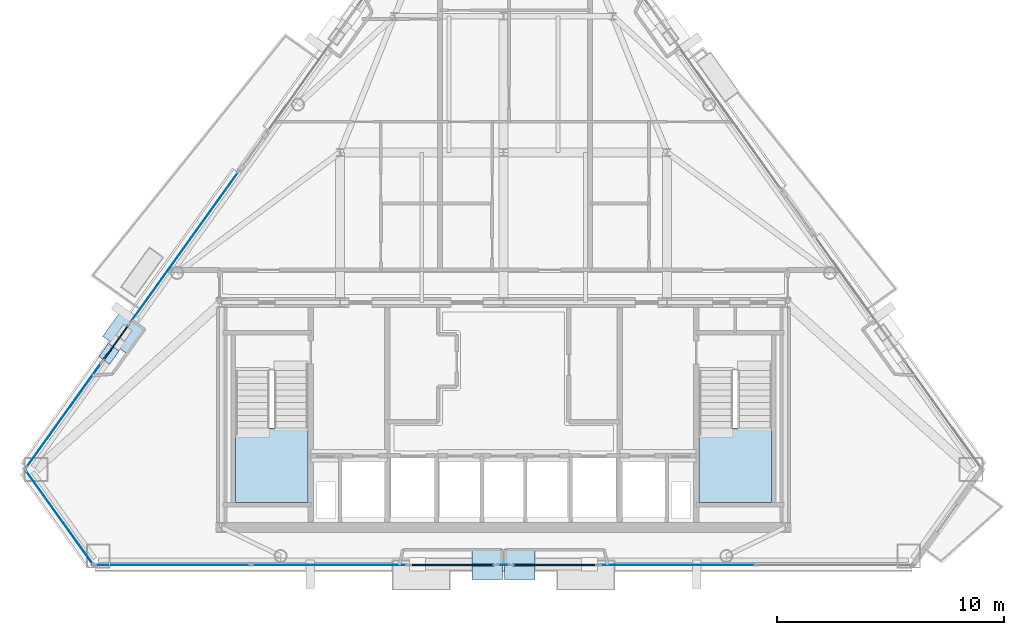
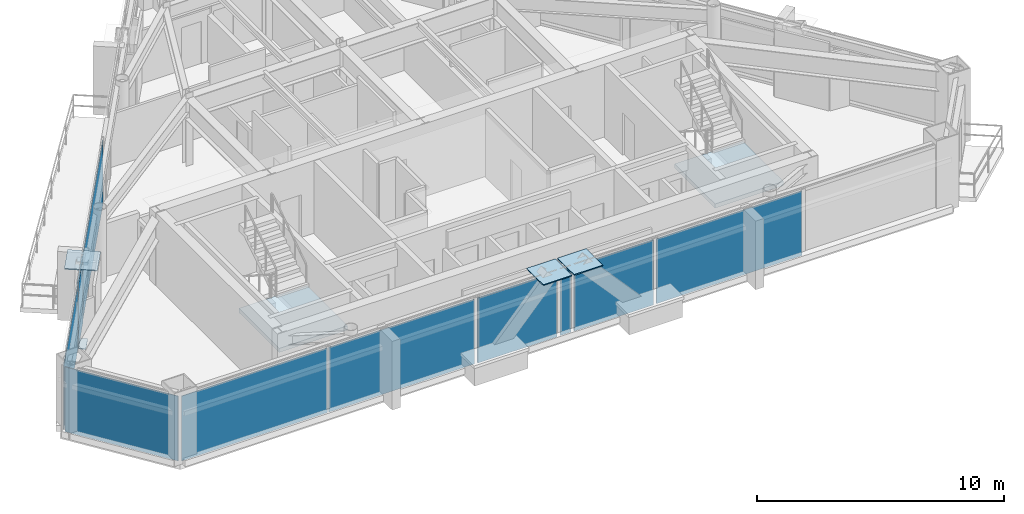
# One storey, part 6 of 12: 14 plates, 2 slabs, 11 elements without a shape of their own.
"""IFC4 building model written with IfcOpenShell, lengths in metres."""

from ifc_helpers import new_model, si_unit, direction, frame, origin, origin_2d, place, context, subcontext, project, spatial, polyline, rectangle, outline, extrude, source, transform, mapped, material, layer, layer_set, type_object, type_shapes, element, aggregate, save


model = new_model("IFC4")

# Units and contexts
model_context = context("Model", 3, precision=1e-05, world=origin(), true_north=direction((0.0, 1.0)))
body_context = subcontext(model_context, "Body", "Model", "MODEL_VIEW")
ifc_project = project(units=[si_unit("LENGTHUNIT", "METRE"), si_unit("AREAUNIT", "SQUARE_METRE"), si_unit("VOLUMEUNIT", "CUBIC_METRE"), si_unit("PLANEANGLEUNIT", "RADIAN"), si_unit("MASSUNIT", "GRAM", prefix="KILO")], contexts=[model_context])

# Site, building, storey
site_placement = place(None, origin())
site = spatial("IfcSite", under=ifc_project, at=site_placement, CompositionType="ELEMENT")
building_placement = place(site_placement, origin())
building = spatial("IfcBuilding", under=site, at=building_placement, Name="Talgorran Terracotta Tower", CompositionType="ELEMENT")
storey_placement = place(building_placement, frame((0.0, 0.0, 221.699951171875)))
storey = spatial("IfcBuildingStorey", under=building, at=storey_placement, Name="L58", CompositionType="ELEMENT", Elevation=221.699951171875)

# Plates
ifc_material_1 = material(Name="Steel Grade 350 (350L0)", Category="steel")
ifc_layer_1 = layer(ifc_material_1, 0.031982421875, Name="PL_CAP_MN07")
ifc_layer_set_1 = layer_set([ifc_layer_1], Name="Steel Grade 350 (350L0)")
plate_type_1 = type_object("IfcPlateType", Name="PL_CAP_MN07", PredefinedType="USERDEFINED", material=ifc_layer_set_1)
plate_1_placement = place(storey_placement, frame((-17.359619140625, -6.453857421875, -0.005859375), z_axis=(0.0, 0.0, 1.0), x_axis=(0.583115925445, 0.812388957023, 0.0)))
element("IfcPlate", 1, at=plate_1_placement, inside=storey, type_object=plate_type_1, Name="L58 Diagonal Frame End Cap NWL Bot", ObjectType="CAP PLATE", PredefinedType="USERDEFINED", context=body_context, shape_type="SweptSolid", body=[
    extrude(rectangle(XDim=0.719970703125, YDim=0.580078125, at=origin_2d()), origin(), (0.0, 0.0, 1.0), 0.031982421875),
])
ifc_layer_2 = layer(ifc_material_1, 0.050048828125, Name="PL_NODE_MN03")
ifc_layer_set_2 = layer_set([ifc_layer_2], Name="Steel Grade 350 (350L0)")
plate_type_2 = type_object("IfcPlateType", Name="PL_NODE_MN03", PredefinedType="USERDEFINED", material=ifc_layer_set_2)
for number, where, z_axis, x_axis, name in (
    (2, (-0.720703125, -15.712158203125, 3.31005859375), (0.0, 0.0, 1.0), (1.0, 0.0, 0.0), "L58 Diagonal Frame End Cap SWF Top"),
    (3, (0.720703125, -15.712158203125, 3.31005859375), (0.0, 0.0, 1.0), (-1.0, 0.0, 0.0), "L58 Diagonal Frame End Cap SEF Top"),
    (4, (-16.694091796875, -5.527099609375, 3.31005859375), (0.0, 0.0, 1.0), (0.583115925445, 0.812388957023, 0.0), "L58 Diagonal Frame End Cap NWL Top"),
):
    element("IfcPlate", number, at=place(storey_placement, frame(where, z_axis=z_axis, x_axis=x_axis)), inside=storey, type_object=plate_type_2, Name=name, ObjectType="NODE PLATE", PredefinedType="USERDEFINED", context=body_context, shape_type="SweptSolid", body=[
        extrude(rectangle(XDim=1.35009765625, YDim=1.35009765625, at=origin_2d()), origin(), (0.0, 0.0, 1.0), 0.050048828125),
    ])

# Stair, slab
ifc_material_2 = material(Name="Concrete C40/50", Category="concrete")
stair_type = type_object("IfcStairType", Name="ST_FIRE_SCISSOR", PredefinedType="HALF_TURN_STAIR", material=ifc_material_2)
stair_1_placement = place(storey_placement, origin())
stair_1 = element("IfcStair", 5, at=stair_1_placement, inside=storey, type_object=stair_type, Name="L58 West Protected Fire Stair ST-01", PredefinedType="HALF_TURN_STAIR")
ifc_layer_3 = layer(ifc_material_2, 0.199951171875, Name="SL_LANDING_200")
ifc_layer_set_3 = layer_set([ifc_layer_3], Name="Concrete C40/50")
slab_type = type_object("IfcSlabType", Name="SL_LANDING_200", PredefinedType="LANDING", material=ifc_layer_set_3)
slab_1_placement = place(storey_placement, frame((0.0, 0.0, 1.60009765625)))
slab_1 = element("IfcSlab", 6, at=slab_1_placement, type_object=slab_type, Name="ST-01 landing 1", PredefinedType="LANDING", context=body_context, shape_type="SweptSolid", body=[
    extrude(outline(polyline([(-11.800048828125, -9.719970703125), (-11.800048828125, -13.0), (-8.60009765625, -13.0), (-8.60009765625, -9.719970703125), (-11.800048828125, -9.719970703125)])), origin(), (0.0, 0.0, 1.0), 0.199951171875),
])
aggregate(stair_1, [slab_1])

stair_2_placement = place(storey_placement, origin())
stair_2 = element("IfcStair", 7, at=stair_2_placement, inside=storey, type_object=stair_type, Name="L58 East Protected Fire Stair ST-02", PredefinedType="HALF_TURN_STAIR")
slab_2_placement = place(storey_placement, frame((0.0, 0.0, 1.60009765625)))
slab_2 = element("IfcSlab", 8, at=slab_2_placement, type_object=slab_type, Name="ST-02 landing 1", PredefinedType="LANDING", context=body_context, shape_type="SweptSolid", body=[
    extrude(outline(polyline([(8.60009765625, -9.719970703125), (8.60009765625, -13.0), (11.800048828125, -13.0), (11.800048828125, -9.719970703125), (8.60009765625, -9.719970703125)])), origin(), (0.0, 0.0, 1.0), 0.199951171875),
])
aggregate(stair_2, [slab_2])

# Curtain wall, plate
ifc_material_3 = material(Name="High-Wind Unitised Glazing", Category="glass")
ifc_layer_4 = layer(ifc_material_3, 0.2099609375, Name="CW_SYS3_RES_HIGH")
ifc_layer_set_4 = layer_set([ifc_layer_4], Name="High-Wind Unitised Glazing")
curtain_wall_type = type_object("IfcCurtainWallType", Name="CW_SYS3_RES_HIGH", PredefinedType="NOTDEFINED", material=ifc_layer_set_4)
curtain_wall_1_placement = place(storey_placement, origin())
curtain_wall_1 = element("IfcCurtainWall", 9, at=curtain_wall_1_placement, inside=storey, type_object=curtain_wall_type, Name="CW-L58-F0", PredefinedType="NOTDEFINED")
ifc_material_4 = material(Name="High-Wind Acoustic Vision Glass", Category="glass")
ifc_layer_5 = layer(ifc_material_4, 0.031982421875, Name="PLT_VISION_32")
ifc_layer_set_5 = layer_set([ifc_layer_5], Name="High-Wind Acoustic Vision Glass")
plate_type_3 = type_object("IfcPlateType", Name="PLT_VISION_32", PredefinedType="CURTAIN_PANEL", material=ifc_layer_set_5)
shared_shape_1 = source(origin(), body_context, "Body", "SweptSolid", [
    extrude(rectangle(XDim=5.04541015625, YDim=0.031982421875, at=origin_2d()), origin(), (0.0, 0.0, 1.0), 3.205078125),
])
plate_2_placement = place(storey_placement, frame((-19.54736328125, -13.64599609375, 0.070068359375), z_axis=(0.0, 0.0, 1.0), x_axis=(0.583113785654, -0.812390492916, 0.0)))
plate_2 = element("IfcPlate", 10, at=plate_2_placement, type_object=plate_type_3, Name="CW-L58-0 panel 1.1", PredefinedType="CURTAIN_PANEL", context=body_context, shape_type="MappedRepresentation", body=[
    mapped(shared_shape_1, transform((0.0, 0.0, 0.0), scale=1.0)),
])
aggregate(curtain_wall_1, [plate_2])

# Curtain wall, plates
curtain_wall_2_placement = place(storey_placement, origin())
curtain_wall_2 = element("IfcCurtainWall", 11, at=curtain_wall_2_placement, inside=storey, type_object=curtain_wall_type, Name="CW-L58-F1", PredefinedType="NOTDEFINED")
shared_shape_2 = source(origin(), body_context, "Body", "SweptSolid", [
    extrude(rectangle(XDim=6.821044921875, YDim=0.031982421875, at=origin_2d()), origin(), (0.0, 0.0, 1.0), 3.205078125),
])
plate_3_placement = place(storey_placement, frame((-14.554931640625, -15.752197265625, 0.070068359375), z_axis=(0.0, 0.0, 1.0), x_axis=(1.0, 0.0, 0.0)))
plate_3 = element("IfcPlate", 12, at=plate_3_placement, type_object=plate_type_3, Name="CW-L58-1 panel 1.1", PredefinedType="CURTAIN_PANEL", context=body_context, shape_type="MappedRepresentation", body=[
    mapped(shared_shape_2, transform((0.0, 0.0, 0.0), scale=1.0)),
])
plate_4_placement = place(storey_placement, frame((-7.66357421875, -15.752197265625, 0.070068359375), z_axis=(0.0, 0.0, 1.0), x_axis=(1.0, 0.0, 0.0)))
plate_4 = element("IfcPlate", 13, at=plate_4_placement, type_object=plate_type_3, Name="CW-L58-1 panel 2.1", PredefinedType="CURTAIN_PANEL", context=body_context, shape_type="MappedRepresentation", body=[
    mapped(shared_shape_2, transform((0.0, 0.0, 0.0), scale=1.0)),
])
aggregate(curtain_wall_2, [plate_3, plate_4])

# Curtain wall, plate
curtain_wall_3_placement = place(storey_placement, origin())
curtain_wall_3 = element("IfcCurtainWall", 14, at=curtain_wall_3_placement, inside=storey, type_object=curtain_wall_type, Name="CW-L58-F1E", PredefinedType="NOTDEFINED")
plate_5_placement = place(storey_placement, frame((7.66357421875, -15.752197265625, 0.070068359375), z_axis=(0.0, 0.0, 1.0), x_axis=(1.0, 0.0, 0.0)))
plate_5 = element("IfcPlate", 15, at=plate_5_placement, type_object=plate_type_3, Name="CW-L58-1E panel 1.1", PredefinedType="CURTAIN_PANEL", context=body_context, shape_type="MappedRepresentation", body=[
    mapped(shared_shape_2, transform((0.0, 0.0, 0.0), scale=1.0)),
])
aggregate(curtain_wall_3, [plate_5])

curtain_wall_4_placement = place(storey_placement, origin())
curtain_wall_4 = element("IfcCurtainWall", 16, at=curtain_wall_4_placement, inside=storey, type_object=curtain_wall_type, Name="CW-L58-F1B", PredefinedType="NOTDEFINED")
ifc_material_5 = material(Name="Terracotta Insulated Spandrel", Category="masonry")
ifc_layer_6 = layer(ifc_material_5, 0.06494140625, Name="PLT_SPANDREL_TERRA")
ifc_layer_set_6 = layer_set([ifc_layer_6], Name="Terracotta Insulated Spandrel")
plate_type_4 = type_object("IfcPlateType", Name="PLT_SPANDREL_TERRA", PredefinedType="SHEET", material=ifc_layer_set_6)
shared_shape_3 = source(origin(), body_context, "Body", "SweptSolid", [
    extrude(rectangle(XDim=3.702392578125, YDim=0.06494140625, at=origin_2d()), origin(), (0.0, 0.0, 1.0), 3.205078125),
])
plate_6_placement = place(storey_placement, frame((-2.251953125, -15.752197265625, 0.070068359375), z_axis=(0.0, 0.0, 1.0), x_axis=(1.0, 0.0, 0.0)))
plate_6 = element("IfcPlate", 17, at=plate_6_placement, type_object=plate_type_4, Name="CW-L58-1B panel 1.1", PredefinedType="CURTAIN_PANEL", context=body_context, shape_type="MappedRepresentation", body=[
    mapped(shared_shape_3, transform((0.0, 0.0, 0.0), scale=1.0)),
])
aggregate(curtain_wall_4, [plate_6])

curtain_wall_5_placement = place(storey_placement, origin())
curtain_wall_5 = element("IfcCurtainWall", 18, at=curtain_wall_5_placement, inside=storey, type_object=curtain_wall_type, Name="CW-L58-F1D", PredefinedType="NOTDEFINED")
plate_7_placement = place(storey_placement, frame((2.251953125, -15.752197265625, 0.070068359375), z_axis=(0.0, 0.0, 1.0), x_axis=(1.0, 0.0, 0.0)))
plate_7 = element("IfcPlate", 19, at=plate_7_placement, type_object=plate_type_4, Name="CW-L58-1D panel 1.1", PredefinedType="CURTAIN_PANEL", context=body_context, shape_type="MappedRepresentation", body=[
    mapped(shared_shape_3, transform((0.0, 0.0, 0.0), scale=1.0)),
])
aggregate(curtain_wall_5, [plate_7])

curtain_wall_6_placement = place(storey_placement, origin())
curtain_wall_6 = element("IfcCurtainWall", 20, at=curtain_wall_6_placement, inside=storey, type_object=curtain_wall_type, Name="CW-L58-F1C", PredefinedType="NOTDEFINED")
shared_shape_4 = source(origin(), body_context, "Body", "SweptSolid", [
    extrude(rectangle(XDim=0.501220703125, YDim=0.031982421875, at=origin_2d()), origin(), (0.0, 0.0, 1.0), 3.205078125),
])
plate_8_placement = place(storey_placement, frame((0.0, -15.752197265625, 0.070068359375), z_axis=(0.0, 0.0, 1.0), x_axis=(1.0, 0.0, 0.0)))
plate_8 = element("IfcPlate", 21, at=plate_8_placement, type_object=plate_type_3, Name="CW-L58-1C panel 1.1", PredefinedType="CURTAIN_PANEL", context=body_context, shape_type="MappedRepresentation", body=[
    mapped(shared_shape_4, transform((0.0, 0.0, 0.0), scale=1.0)),
])
aggregate(curtain_wall_6, [plate_8])

curtain_wall_7_placement = place(storey_placement, origin())
curtain_wall_7 = element("IfcCurtainWall", 22, at=curtain_wall_7_placement, inside=storey, type_object=curtain_wall_type, Name="CW-L58-F61C", PredefinedType="NOTDEFINED")
shared_shape_5 = source(origin(), body_context, "Body", "SweptSolid", [
    extrude(rectangle(XDim=5.64111328125, YDim=0.031982421875, at=origin_2d()), origin(), (0.0, 0.0, 1.0), 3.205078125),
])
plate_9_placement = place(storey_placement, frame((-19.350341796875, -9.158935546875, 0.070068359375), z_axis=(0.0, 0.0, 1.0), x_axis=(-0.583110196234, -0.812393069301, 0.0)))
plate_9 = element("IfcPlate", 23, at=plate_9_placement, type_object=plate_type_3, Name="CW-L58-61C panel 1.1", PredefinedType="CURTAIN_PANEL", context=body_context, shape_type="MappedRepresentation", body=[
    mapped(shared_shape_5, transform((0.0, 0.0, 0.0), scale=1.0)),
])
aggregate(curtain_wall_7, [plate_9])

curtain_wall_8_placement = place(storey_placement, origin())
curtain_wall_8 = element("IfcCurtainWall", 24, at=curtain_wall_8_placement, inside=storey, type_object=curtain_wall_type, Name="CW-L58-F61B", PredefinedType="NOTDEFINED")
shared_shape_6 = source(origin(), body_context, "Body", "SweptSolid", [
    extrude(rectangle(XDim=1.91650390625, YDim=0.06494140625, at=origin_2d()), origin(), (0.0, 0.0, 1.0), 3.205078125),
])
type_shapes(plate_type_4, [shared_shape_3, shared_shape_6])
plate_10_placement = place(storey_placement, frame((-17.059326171875, -5.967041015625, 0.070068359375), z_axis=(0.0, 0.0, 1.0), x_axis=(-0.583117924535, -0.812387522114, 0.0)))
plate_10 = element("IfcPlate", 25, at=plate_10_placement, type_object=plate_type_4, Name="CW-L58-61B panel 1.1", PredefinedType="CURTAIN_PANEL", context=body_context, shape_type="MappedRepresentation", body=[
    mapped(shared_shape_6, transform((0.0, 0.0, 0.0), scale=1.0)),
])
aggregate(curtain_wall_8, [plate_10])

curtain_wall_9_placement = place(storey_placement, origin())
curtain_wall_9 = element("IfcCurtainWall", 26, at=curtain_wall_9_placement, inside=storey, type_object=curtain_wall_type, Name="CW-L58-F61", PredefinedType="NOTDEFINED")
shared_shape_7 = source(origin(), body_context, "Body", "SweptSolid", [
    extrude(rectangle(XDim=8.10986328125, YDim=0.031982421875, at=origin_2d()), origin(), (0.0, 0.0, 1.0), 3.205078125),
])
type_shapes(plate_type_3, [shared_shape_1, shared_shape_2, shared_shape_4, shared_shape_5, shared_shape_7])
plate_11_placement = place(storey_placement, frame((-14.048583984375, -1.772705078125, 0.070068359375), z_axis=(0.0, 0.0, 1.0), x_axis=(-0.58311940988, -0.812386455956, 0.0)))
plate_11 = element("IfcPlate", 27, at=plate_11_placement, type_object=plate_type_3, Name="CW-L58-61 panel 1.1", PredefinedType="CURTAIN_PANEL", context=body_context, shape_type="MappedRepresentation", body=[
    mapped(shared_shape_7, transform((0.0, 0.0, 0.0), scale=1.0)),
])
aggregate(curtain_wall_9, [plate_11])

save(model, "model.ifc")
